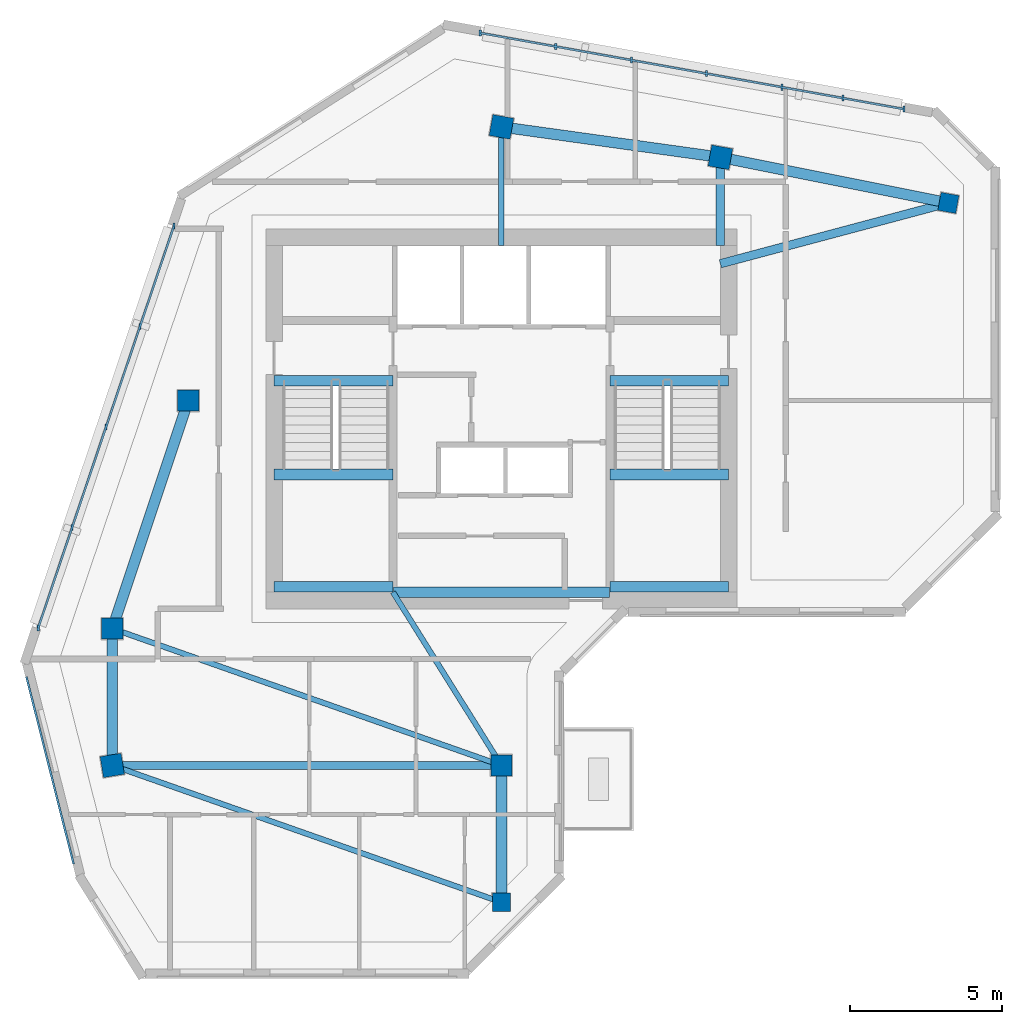
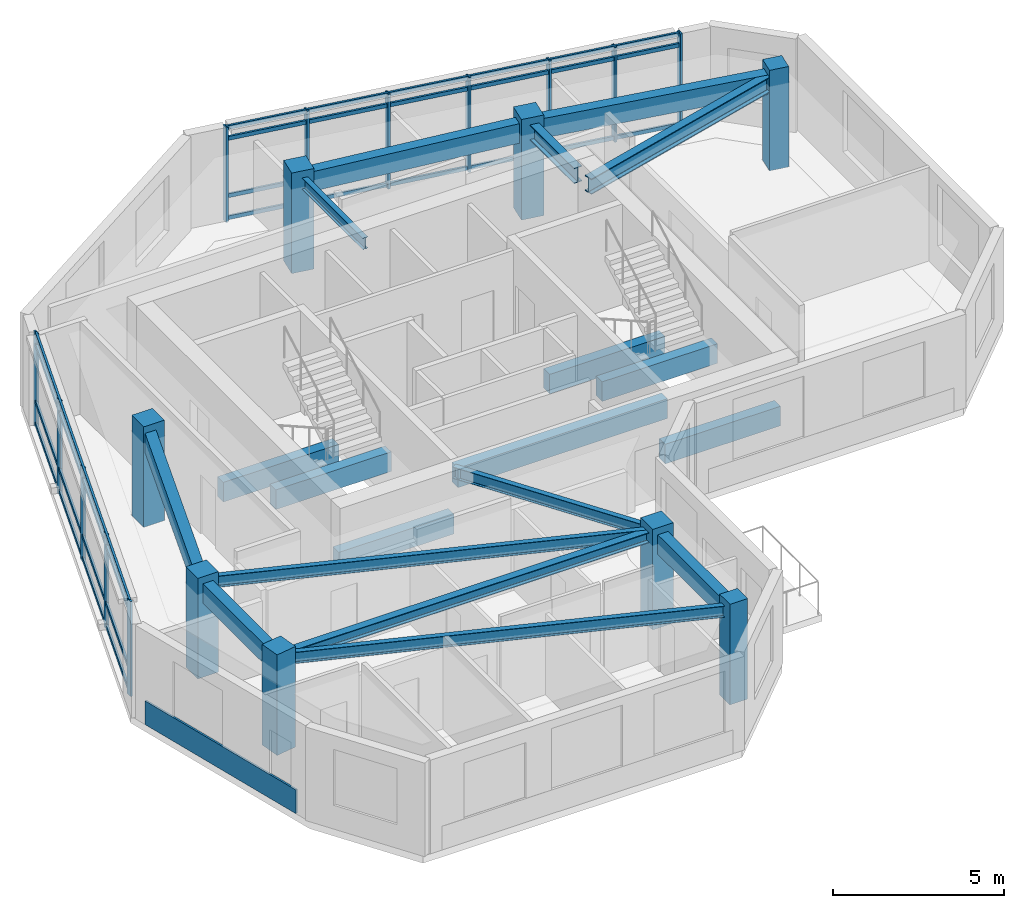
# One storey, part 1 of 8: 20 members, 19 beams, 8 columns, 1 plate, 2 elements without a shape of their own.
"""IFC4 building model written with IfcOpenShell, lengths in metres."""

from ifc_helpers import new_model, si_unit, direction, frame, frame_2d, origin, origin_2d, place, context, subcontext, project, spatial, rectangle, i_section, extrude, source, transform, mapped, material, layer, layer_set, material_profile, profile_set, type_object, element, aggregate, save


model = new_model("IFC4")

# Units and contexts
model_context = context("Model", 3, precision=1e-05, world=origin(), true_north=direction((0.0, 1.0)))
body_context = subcontext(model_context, "Body", "Model", "MODEL_VIEW")
ifc_project = project(units=[si_unit("LENGTHUNIT", "METRE"), si_unit("AREAUNIT", "SQUARE_METRE"), si_unit("VOLUMEUNIT", "CUBIC_METRE"), si_unit("PLANEANGLEUNIT", "RADIAN"), si_unit("MASSUNIT", "GRAM", prefix="KILO")], contexts=[model_context])

# Site, building, storey
site_placement = place(None, origin())
site = spatial("IfcSite", under=ifc_project, at=site_placement, CompositionType="ELEMENT")
building_placement = place(site_placement, origin())
building = spatial("IfcBuilding", under=site, at=building_placement, Name="Calvemar Wedge Station Tower", CompositionType="ELEMENT")
storey_placement = place(building_placement, frame((0.0, 0.0, 281.699951171875)))
storey = spatial("IfcBuildingStorey", under=building, at=storey_placement, Name="L72", CompositionType="ELEMENT", Elevation=281.699951171875)

# Columns
ifc_material_1 = material(Name="Concrete C50", Category="concrete")
ifc_material_profile_1 = material_profile(ifc_material_1, rectangle(XDim=0.699951171875, YDim=0.699951171875, at=origin_2d()), Name="RC700x700")
ifc_profile_set_1 = profile_set([ifc_material_profile_1], Name="Concrete C50")
column_type_1 = type_object("IfcColumnType", Name="COL-C7-700", PredefinedType="COLUMN", material=ifc_profile_set_1)
shared_shape_1 = source(origin(), body_context, "Body", "SweptSolid", [
    extrude(rectangle(XDim=0.699951171875, YDim=0.699951171875, at=origin_2d()), origin(), (0.0, 0.0, 1.0), 3.60009765625),
])
for number, where, z_axis, x_axis, name in (
    (1, (11.0, 33.0, 0.0), (0.0, 0.0, 1.0), (1.0, 0.0, 0.0), "Storey L72 Column T-NW1"),
    (2, (13.5, 40.5, 0.0), (0.0, 0.0, 1.0), (1.0, 0.0, 0.0), "Storey L72 Column T-NW2"),
    (3, (23.800048828125, 49.5, 0.0), (0.0, 0.0, 1.0), (0.984195607969, -0.17708474032, 0.0), "Storey L72 Column T-N1"),
    (4, (31.0, 48.5, 0.0), (0.0, 0.0, 1.0), (0.984195607969, -0.17708474032, 0.0), "Storey L72 Column T-N2"),
    (5, (11.0, 28.5, 0.0), (0.0, 0.0, 1.0), (0.158158067254, -0.987413806751, 0.0), "Storey L72 Column T-SW1"),
    (6, (23.800048828125, 28.5, 0.0), (0.0, 0.0, 1.0), (1.0, 0.0, 0.0), "Storey L72 Column T-SE1"),
):
    element("IfcColumn", number, at=place(storey_placement, frame(where, z_axis=z_axis, x_axis=x_axis)), inside=storey, type_object=column_type_1, Name=name, PredefinedType="COLUMN", context=body_context, shape_type="MappedRepresentation", body=[
        mapped(shared_shape_1, transform((0.0, 0.0, 0.0), scale=1.0)),
    ])
ifc_material_profile_2 = material_profile(ifc_material_1, rectangle(XDim=0.60009765625, YDim=0.60009765625, at=origin_2d()), Name="RC600x600")
ifc_profile_set_2 = profile_set([ifc_material_profile_2], Name="Concrete C50")
column_type_2 = type_object("IfcColumnType", Name="COL-C8-600", PredefinedType="COLUMN", material=ifc_profile_set_2)
shared_shape_2 = source(origin(), body_context, "Body", "SweptSolid", [
    extrude(rectangle(XDim=0.60009765625, YDim=0.60009765625, at=origin_2d()), origin(), (0.0, 0.0, 1.0), 3.60009765625),
])
for number, where, z_axis, x_axis, name in (
    (7, (38.5, 47.0, 0.0), (0.0, 0.0, 1.0), (0.984195607969, -0.17708474032, 0.0), "Storey L72 Column T-NU3"),
    (8, (23.800048828125, 24.0, 0.0), (0.0, 0.0, 1.0), (1.0, 0.0, 0.0), "Storey L72 Column T-SE2"),
):
    element("IfcColumn", number, at=place(storey_placement, frame(where, z_axis=z_axis, x_axis=x_axis)), inside=storey, type_object=column_type_2, Name=name, PredefinedType="COLUMN", context=body_context, shape_type="MappedRepresentation", body=[
        mapped(shared_shape_2, transform((0.0, 0.0, 0.0), scale=1.0)),
    ])

# Beams
ifc_material_2 = material(Name="Structural steel ASTM A572 Grade 50", Category="steel")
ifc_material_profile_3 = material_profile(ifc_material_2, i_section(OverallWidth=0.177978515625, OverallDepth=0.406982421875, WebThickness=0.0078125, FlangeThickness=0.0126953125, FilletRadius=0.010009765625, at=origin_2d()), Name="W410x60")
ifc_profile_set_3 = profile_set([ifc_material_profile_3], Name="Structural steel ASTM A572 Grade 50")
beam_type_1 = type_object("IfcBeamType", Name="BM-J3-W410", PredefinedType="JOIST", material=ifc_profile_set_3)
shared_shape_3 = source(origin(), body_context, "Body", "SweptSolid", [
    extrude(i_section(OverallWidth=0.177978515625, OverallDepth=0.406982421875, WebThickness=0.0078125, FlangeThickness=0.0126953125, FilletRadius=0.010009765625, at=origin_2d()), origin(), (0.0, 0.0, 1.0), 13.568115234375),
])
for number, where, z_axis, x_axis, name in (
    (9, (11.0, 33.0, 3.146484375), (0.943398221169, -0.331662171939, 0.0), (0.331662171939, 0.943398221169, 0.0), "Storey L72 Floor Beam T-NW1-T-SE1"),
    (10, (11.0, 28.5, 3.146484375), (0.943398221169, -0.331662171939, 0.0), (0.331662171939, 0.943398221169, 0.0), "Storey L72 Floor Beam T-SW1-T-SE2"),
):
    element("IfcBeam", number, at=place(storey_placement, frame(where, z_axis=z_axis, x_axis=x_axis)), inside=storey, type_object=beam_type_1, Name=name, PredefinedType="JOIST", context=body_context, shape_type="MappedRepresentation", body=[
        mapped(shared_shape_3, transform((0.0, 0.0, 0.0), scale=1.0)),
    ])
ifc_material_profile_4 = material_profile(ifc_material_2, i_section(OverallWidth=0.279052734375, OverallDepth=0.553955078125, WebThickness=0.017578125, FlangeThickness=0.029541015625, FilletRadius=0.014892578125, at=origin_2d()), Name="W530x196")
ifc_profile_set_4 = profile_set([ifc_material_profile_4], Name="Structural steel ASTM A572 Grade 50")
beam_type_2 = type_object("IfcBeamType", Name="BM-SB3-W530H", PredefinedType="BEAM", material=ifc_profile_set_4)
shared_shape_4 = source(origin(), body_context, "Body", "SweptSolid", [
    extrude(i_section(OverallWidth=0.279052734375, OverallDepth=0.553955078125, WebThickness=0.017578125, FlangeThickness=0.029541015625, FilletRadius=0.014892578125, at=origin_2d()), origin(), (0.0, 0.0, 1.0), 7.76220703125),
])
beam_1_placement = place(storey_placement, frame((31.0, 45.0, 3.072998046875), z_axis=(0.966234939601, 0.25766265056, 0.0), x_axis=(-0.25766265056, 0.966234939601, 0.0)))
element("IfcBeam", 11, at=beam_1_placement, inside=storey, type_object=beam_type_2, Name="Storey L72 Core-to-Column Joist CJ-E2", PredefinedType="BEAM", context=body_context, shape_type="MappedRepresentation", body=[
    mapped(shared_shape_4, transform((0.0, 0.0, 0.0), scale=1.0)),
])
shared_shape_5 = source(origin(), body_context, "Body", "SweptSolid", [
    extrude(i_section(OverallWidth=0.177978515625, OverallDepth=0.406982421875, WebThickness=0.0078125, FlangeThickness=0.0126953125, FilletRadius=0.010009765625, at=origin_2d()), origin(), (0.0, 0.0, 1.0), 3.89990234375),
])
beam_2_placement = place(storey_placement, frame((23.800048828125, 45.60009765625, 3.146484375), z_axis=(0.0, 1.0, 0.0), x_axis=(-1.0, 0.0, 0.0)))
element("IfcBeam", 12, at=beam_2_placement, inside=storey, type_object=beam_type_1, Name="Storey L72 Core-to-Column Joist CJ-N1", PredefinedType="JOIST", context=body_context, shape_type="MappedRepresentation", body=[
    mapped(shared_shape_5, transform((0.0, 0.0, 0.0), scale=1.0)),
])
shared_shape_6 = source(origin(), body_context, "Body", "SweptSolid", [
    extrude(i_section(OverallWidth=0.279052734375, OverallDepth=0.553955078125, WebThickness=0.017578125, FlangeThickness=0.029541015625, FilletRadius=0.014892578125, at=origin_2d()), origin(), (0.0, 0.0, 1.0), 2.89990234375),
])
beam_3_placement = place(storey_placement, frame((31.0, 45.60009765625, 3.072998046875), z_axis=(0.0, 1.0, 0.0), x_axis=(-1.0, 0.0, 0.0)))
element("IfcBeam", 13, at=beam_3_placement, inside=storey, type_object=beam_type_2, Name="Storey L72 Core-to-Column Joist CJ-N2", PredefinedType="BEAM", context=body_context, shape_type="MappedRepresentation", body=[
    mapped(shared_shape_6, transform((0.0, 0.0, 0.0), scale=1.0)),
])
shared_shape_7 = source(origin(), body_context, "Body", "SweptSolid", [
    extrude(i_section(OverallWidth=0.177978515625, OverallDepth=0.406982421875, WebThickness=0.0078125, FlangeThickness=0.0126953125, FilletRadius=0.010009765625, at=origin_2d()), origin(), (0.0, 0.0, 1.0), 6.7255859375),
])
beam_4_placement = place(storey_placement, frame((20.22998046875, 34.199951171875, 3.146484375), z_axis=(0.530811158438, -0.847490126242, 0.0), x_axis=(0.847490126242, 0.530811158438, 0.0)))
element("IfcBeam", 14, at=beam_4_placement, inside=storey, type_object=beam_type_1, Name="Storey L72 Core-to-Column Joist CJ-S2", PredefinedType="JOIST", context=body_context, shape_type="MappedRepresentation", body=[
    mapped(shared_shape_7, transform((0.0, 0.0, 0.0), scale=1.0)),
])
ifc_material_3 = material(Name="Concrete C70", Category="concrete")
ifc_material_profile_5 = material_profile(ifc_material_3, rectangle(XDim=0.35009765625, YDim=0.699951171875, at=origin_2d()), Name="RC350x700")
ifc_profile_set_5 = profile_set([ifc_material_profile_5], Name="Concrete C70")
beam_type_3 = type_object("IfcBeamType", Name="BM-LN1-700", PredefinedType="LINTEL", material=ifc_profile_set_5)
shared_shape_8 = source(origin(), body_context, "Body", "SweptSolid", [
    extrude(rectangle(XDim=0.35009765625, YDim=0.699951171875, at=origin_2d()), origin(), (0.0, 0.0, 1.0), 7.10009765625),
])
beam_5_placement = place(storey_placement, frame((20.25, 34.199951171875, 3.0), z_axis=(1.0, 0.0, 0.0), x_axis=(0.0, 1.0, 0.0)))
element("IfcBeam", 15, at=beam_5_placement, inside=storey, type_object=beam_type_3, Name="Storey L72 Core Coupling Lintel South", PredefinedType="LINTEL", context=body_context, shape_type="MappedRepresentation", body=[
    mapped(shared_shape_8, transform((0.0, 0.0, 0.0), scale=1.0)),
])
ifc_material_profile_6 = material_profile(ifc_material_1, rectangle(XDim=0.35009765625, YDim=0.699951171875, at=origin_2d()), Name="RC350x700")
ifc_profile_set_6 = profile_set([ifc_material_profile_6], Name="Concrete C50")
beam_type_4 = type_object("IfcBeamType", Name="BM-SP2-700", PredefinedType="SPANDREL", material=ifc_profile_set_6)
shared_shape_9 = source(origin(), body_context, "Body", "SweptSolid", [
    extrude(rectangle(XDim=0.35009765625, YDim=0.699951171875, at=origin_2d()), origin(), (0.0, 0.0, 1.0), 7.90576171875),
])
beam_6_placement = place(storey_placement, frame((11.0, 33.0, 3.0), z_axis=(0.316227766017, 0.948683298051, 0.0), x_axis=(-0.948683298051, 0.316227766017, 0.0)))
element("IfcBeam", 16, at=beam_6_placement, inside=storey, type_object=beam_type_4, Name="Storey L72 Spandrel T-NW1-T-NW2", PredefinedType="SPANDREL", context=body_context, shape_type="MappedRepresentation", body=[
    mapped(shared_shape_9, transform((0.0, 0.0, 0.0), scale=1.0)),
])
shared_shape_10 = source(origin(), body_context, "Body", "SweptSolid", [
    extrude(rectangle(XDim=0.35009765625, YDim=0.699951171875, at=origin_2d()), origin(), (0.0, 0.0, 1.0), 7.26904296875),
])
beam_7_placement = place(storey_placement, frame((23.800048828125, 49.5, 3.0), z_axis=(0.990492146053, -0.13756928657, 0.0), x_axis=(0.13756928657, 0.990492146053, 0.0)))
element("IfcBeam", 17, at=beam_7_placement, inside=storey, type_object=beam_type_4, Name="Storey L72 Spandrel T-N1-T-N2", PredefinedType="SPANDREL", context=body_context, shape_type="MappedRepresentation", body=[
    mapped(shared_shape_10, transform((0.0, 0.0, 0.0), scale=1.0)),
])
shared_shape_11 = source(origin(), body_context, "Body", "SweptSolid", [
    extrude(rectangle(XDim=0.35009765625, YDim=0.699951171875, at=origin_2d()), origin(), (0.0, 0.0, 1.0), 7.6484375),
])
beam_8_placement = place(storey_placement, frame((31.0, 48.5, 3.0), z_axis=(0.980580675691, -0.196116135138, 0.0), x_axis=(0.196116135138, 0.980580675691, 0.0)))
element("IfcBeam", 18, at=beam_8_placement, inside=storey, type_object=beam_type_4, Name="Storey L72 Spandrel T-N2-T-NU3", PredefinedType="SPANDREL", context=body_context, shape_type="MappedRepresentation", body=[
    mapped(shared_shape_11, transform((0.0, 0.0, 0.0), scale=1.0)),
])
shared_shape_12 = source(origin(), body_context, "Body", "SweptSolid", [
    extrude(rectangle(XDim=0.35009765625, YDim=0.699951171875, at=origin_2d()), origin(), (0.0, 0.0, 1.0), 4.5),
])
for number, where, z_axis, x_axis, name in (
    (19, (11.0, 33.0, 3.0), (0.0, -1.0, 0.0), (1.0, 0.0, 0.0), "Storey L72 Spandrel T-NW1-T-SW1"),
    (20, (23.800048828125, 28.5, 3.0), (0.0, -1.0, 0.0), (1.0, 0.0, 0.0), "Storey L72 Spandrel T-SE1-T-SE2"),
):
    element("IfcBeam", number, at=place(storey_placement, frame(where, z_axis=z_axis, x_axis=x_axis)), inside=storey, type_object=beam_type_4, Name=name, PredefinedType="SPANDREL", context=body_context, shape_type="MappedRepresentation", body=[
        mapped(shared_shape_12, transform((0.0, 0.0, 0.0), scale=1.0)),
    ])
shared_shape_13 = source(origin(), body_context, "Body", "SweptSolid", [
    extrude(rectangle(XDim=0.35009765625, YDim=0.699951171875, at=origin_2d()), origin(), (0.0, 0.0, 1.0), 3.905029296875),
])
for number, where, z_axis, x_axis, name in (
    (21, (16.324951171875, 41.14990234375, -0.349853515625), (1.0, 0.0, 0.0), (0.0, 1.0, 0.0), "Storey L72 Stair ST-C1 Landing Trimmer Beam"),
    (22, (16.324951171875, 34.3798828125, 1.25), (1.0, 0.0, 0.0), (0.0, 1.0, 0.0), "Storey L72 Stair ST-C1 Half-Landing Beam 1A"),
    (23, (16.324951171875, 38.070068359375, 1.25), (1.0, 0.0, 0.0), (0.0, 1.0, 0.0), "Storey L72 Stair ST-C1 Half-Landing Beam 1B"),
):
    element("IfcBeam", number, at=place(storey_placement, frame(where, z_axis=z_axis, x_axis=x_axis)), inside=storey, type_object=beam_type_3, Name=name, PredefinedType="LINTEL", context=body_context, shape_type="MappedRepresentation", body=[
        mapped(shared_shape_13, transform((0.0, 0.0, 0.0), scale=1.0)),
    ])
shared_shape_14 = source(origin(), body_context, "Body", "SweptSolid", [
    extrude(rectangle(XDim=0.35009765625, YDim=0.699951171875, at=origin_2d()), origin(), (0.0, 0.0, 1.0), 3.90478515625),
])
for number, where, z_axis, x_axis, name in (
    (24, (27.3701171875, 41.14990234375, -0.349853515625), (1.0, 0.0, 0.0), (0.0, 1.0, 0.0), "Storey L72 Stair ST-C2 Landing Trimmer Beam"),
    (25, (27.3701171875, 34.3798828125, 1.25), (1.0, 0.0, 0.0), (0.0, 1.0, 0.0), "Storey L72 Stair ST-C2 Half-Landing Beam 1A"),
    (26, (27.3701171875, 38.070068359375, 1.25), (1.0, 0.0, 0.0), (0.0, 1.0, 0.0), "Storey L72 Stair ST-C2 Half-Landing Beam 1B"),
):
    element("IfcBeam", number, at=place(storey_placement, frame(where, z_axis=z_axis, x_axis=x_axis)), inside=storey, type_object=beam_type_3, Name=name, PredefinedType="LINTEL", context=body_context, shape_type="MappedRepresentation", body=[
        mapped(shared_shape_14, transform((0.0, 0.0, 0.0), scale=1.0)),
    ])
ifc_material_profile_7 = material_profile(ifc_material_2, i_section(OverallWidth=0.257080078125, OverallDepth=0.363037109375, WebThickness=0.012939453125, FlangeThickness=0.021728515625, FilletRadius=0.014892578125, at=origin_2d()), Name="W360x122")
ifc_profile_set_7 = profile_set([ifc_material_profile_7], Name="Structural steel ASTM A572 Grade 50")
beam_type_5 = type_object("IfcBeamType", Name="BM-J4-W360", PredefinedType="JOIST", material=ifc_profile_set_7)
shared_shape_15 = source(origin(), body_context, "Body", "SweptSolid", [
    extrude(i_section(OverallWidth=0.257080078125, OverallDepth=0.363037109375, WebThickness=0.012939453125, FlangeThickness=0.021728515625, FilletRadius=0.014892578125, at=origin_2d()), origin(), (0.0, 0.0, 1.0), 12.800048828125),
])
beam_9_placement = place(storey_placement, frame((11.0, 28.5, 3.16845703125), z_axis=(1.0, 0.0, 0.0), x_axis=(0.0, 1.0, 0.0)))
element("IfcBeam", 27, at=beam_9_placement, inside=storey, type_object=beam_type_5, Name="Storey L72 Floor Beam T-SW1-T-SE1", PredefinedType="JOIST", context=body_context, shape_type="MappedRepresentation", body=[
    mapped(shared_shape_15, transform((0.0, 0.0, 0.0), scale=1.0)),
])

# Curtain wall, members
ifc_material_4 = material(Name="Anodised aluminium 6063-T6", Category="aluminium")
curtain_wall_type = type_object("IfcCurtainWallType", Name="CW4", PredefinedType="NOTDEFINED", material=ifc_material_4)
curtain_wall_1_placement = place(storey_placement, origin())
curtain_wall_1 = element("IfcCurtainWall", 28, at=curtain_wall_1_placement, inside=storey, type_object=curtain_wall_type, Name="Storey L72 CW4 Recessed Unitised Curtain Wall 10", PredefinedType="NOTDEFINED")
ifc_material_profile_8 = material_profile(ifc_material_4, rectangle(XDim=0.070068359375, YDim=0.199951171875, at=origin_2d()), Name="AL-MUL-70x200")
ifc_profile_set_8 = profile_set([ifc_material_profile_8], Name="Anodised aluminium 6063-T6")
member_type_1 = type_object("IfcMemberType", Name="CW4-MUL", PredefinedType="MULLION", material=ifc_profile_set_8)
shared_shape_16 = source(origin(), body_context, "Body", "SweptSolid", [
    extrude(rectangle(XDim=0.070068359375, YDim=0.199951171875, at=origin_2d()), origin(), (0.0, 0.0, 1.0), 3.400146484375),
])
member_1_placement = place(storey_placement, frame((37.033935546875, 50.084228515625, -0.050048828125), z_axis=(0.0, 0.0, 1.0), x_axis=(1.0, 0.0, 0.0)))
member_1 = element("IfcMember", 29, at=member_1_placement, type_object=member_type_1, Name="CW4 mullion 1", PredefinedType="MULLION", context=body_context, shape_type="MappedRepresentation", body=[
    mapped(shared_shape_16, transform((0.0, 0.0, 0.0), scale=1.0)),
])
member_2_placement = place(storey_placement, frame((35.02783203125, 50.44482421875, -0.050048828125), z_axis=(0.0, 0.0, 1.0), x_axis=(1.0, 0.0, 0.0)))
member_2 = element("IfcMember", 30, at=member_2_placement, type_object=member_type_1, Name="CW4 mullion 2", PredefinedType="MULLION", context=body_context, shape_type="MappedRepresentation", body=[
    mapped(shared_shape_16, transform((0.0, 0.0, 0.0), scale=1.0)),
])
member_3_placement = place(storey_placement, frame((33.02197265625, 50.805419921875, -0.050048828125), z_axis=(0.0, 0.0, 1.0), x_axis=(1.0, 0.0, 0.0)))
member_3 = element("IfcMember", 31, at=member_3_placement, type_object=member_type_1, Name="CW4 mullion 3", PredefinedType="MULLION", context=body_context, shape_type="MappedRepresentation", body=[
    mapped(shared_shape_16, transform((0.0, 0.0, 0.0), scale=1.0)),
])
member_4_placement = place(storey_placement, frame((30.546875, 51.250244140625, -0.050048828125), z_axis=(0.0, 0.0, 1.0), x_axis=(1.0, 0.0, 0.0)))
member_4 = element("IfcMember", 32, at=member_4_placement, type_object=member_type_1, Name="CW4 mullion 4", PredefinedType="MULLION", context=body_context, shape_type="MappedRepresentation", body=[
    mapped(shared_shape_16, transform((0.0, 0.0, 0.0), scale=1.0)),
])
member_5_placement = place(storey_placement, frame((28.072021484375, 51.695068359375, -0.050048828125), z_axis=(0.0, 0.0, 1.0), x_axis=(1.0, 0.0, 0.0)))
member_5 = element("IfcMember", 33, at=member_5_placement, type_object=member_type_1, Name="CW4 mullion 5", PredefinedType="MULLION", context=body_context, shape_type="MappedRepresentation", body=[
    mapped(shared_shape_16, transform((0.0, 0.0, 0.0), scale=1.0)),
])
member_6_placement = place(storey_placement, frame((25.587646484375, 52.1416015625, -0.050048828125), z_axis=(0.0, 0.0, 1.0), x_axis=(1.0, 0.0, 0.0)))
member_6 = element("IfcMember", 34, at=member_6_placement, type_object=member_type_1, Name="CW4 mullion 6", PredefinedType="MULLION", context=body_context, shape_type="MappedRepresentation", body=[
    mapped(shared_shape_16, transform((0.0, 0.0, 0.0), scale=1.0)),
])
member_7_placement = place(storey_placement, frame((23.10302734375, 52.58837890625, -0.050048828125), z_axis=(0.0, 0.0, 1.0), x_axis=(1.0, 0.0, 0.0)))
member_7 = element("IfcMember", 35, at=member_7_placement, type_object=member_type_1, Name="CW4 mullion 7", PredefinedType="MULLION", context=body_context, shape_type="MappedRepresentation", body=[
    mapped(shared_shape_16, transform((0.0, 0.0, 0.0), scale=1.0)),
])

curtain_wall_2_placement = place(storey_placement, origin())
curtain_wall_2 = element("IfcCurtainWall", 36, at=curtain_wall_2_placement, inside=storey, type_object=curtain_wall_type, Name="Storey L72 CW4 Recessed Unitised Curtain Wall 12", PredefinedType="NOTDEFINED")
member_8_placement = place(storey_placement, frame((13.030029296875, 46.240478515625, -0.050048828125), z_axis=(0.0, 0.0, 1.0), x_axis=(1.0, 0.0, 0.0)))
member_8 = element("IfcMember", 37, at=member_8_placement, type_object=member_type_1, Name="CW4 mullion 1", PredefinedType="MULLION", context=body_context, shape_type="MappedRepresentation", body=[
    mapped(shared_shape_16, transform((0.0, 0.0, 0.0), scale=1.0)),
])
member_9_placement = place(storey_placement, frame((11.913818359375, 42.9345703125, -0.050048828125), z_axis=(0.0, 0.0, 1.0), x_axis=(1.0, 0.0, 0.0)))
member_9 = element("IfcMember", 38, at=member_9_placement, type_object=member_type_1, Name="CW4 mullion 2", PredefinedType="MULLION", context=body_context, shape_type="MappedRepresentation", body=[
    mapped(shared_shape_16, transform((0.0, 0.0, 0.0), scale=1.0)),
])
member_10_placement = place(storey_placement, frame((10.797607421875, 39.628662109375, -0.050048828125), z_axis=(0.0, 0.0, 1.0), x_axis=(1.0, 0.0, 0.0)))
member_10 = element("IfcMember", 39, at=member_10_placement, type_object=member_type_1, Name="CW4 mullion 3", PredefinedType="MULLION", context=body_context, shape_type="MappedRepresentation", body=[
    mapped(shared_shape_16, transform((0.0, 0.0, 0.0), scale=1.0)),
])
member_11_placement = place(storey_placement, frame((9.681396484375, 36.32275390625, -0.050048828125), z_axis=(0.0, 0.0, 1.0), x_axis=(1.0, 0.0, 0.0)))
member_11 = element("IfcMember", 40, at=member_11_placement, type_object=member_type_1, Name="CW4 mullion 4", PredefinedType="MULLION", context=body_context, shape_type="MappedRepresentation", body=[
    mapped(shared_shape_16, transform((0.0, 0.0, 0.0), scale=1.0)),
])
member_12_placement = place(storey_placement, frame((8.56494140625, 33.016845703125, -0.050048828125), z_axis=(0.0, 0.0, 1.0), x_axis=(1.0, 0.0, 0.0)))
member_12 = element("IfcMember", 41, at=member_12_placement, type_object=member_type_1, Name="CW4 mullion 5", PredefinedType="MULLION", context=body_context, shape_type="MappedRepresentation", body=[
    mapped(shared_shape_16, transform((0.0, 0.0, 0.0), scale=1.0)),
])

# Member
ifc_material_profile_9 = material_profile(ifc_material_4, rectangle(XDim=0.070068359375, YDim=0.139892578125, at=origin_2d()), Name="AL-TRN-70x140")
ifc_profile_set_9 = profile_set([ifc_material_profile_9], Name="Anodised aluminium 6063-T6")
member_type_2 = type_object("IfcMemberType", Name="CW4-TRN", PredefinedType="USERDEFINED", material=ifc_profile_set_9)
shared_shape_17 = source(origin(), body_context, "Body", "SweptSolid", [
    extrude(rectangle(XDim=0.070068359375, YDim=0.139892578125, at=origin_2d()), origin(), (0.0, 0.0, 1.0), 14.154296875),
])
member_13_placement = place(storey_placement, frame((37.033935546875, 50.084228515625, 0.06005859375), z_axis=(-0.984225338595, 0.17691942479, 0.0), x_axis=(-0.17691942479, -0.984225338595, 0.0)))
member_13 = element("IfcMember", 42, at=member_13_placement, type_object=member_type_2, Name="CW4 transom 1", ObjectType="TRANSOM", PredefinedType="USERDEFINED", context=body_context, shape_type="MappedRepresentation", body=[
    mapped(shared_shape_17, transform((0.0, 0.0, 0.0), scale=1.0)),
])

member_14_placement = place(storey_placement, frame((37.033935546875, 50.084228515625, 0.85009765625), z_axis=(-0.984225338595, 0.17691942479, 0.0), x_axis=(-0.17691942479, -0.984225338595, 0.0)))
member_14 = element("IfcMember", 43, at=member_14_placement, type_object=member_type_2, Name="CW4 transom 2", ObjectType="TRANSOM", PredefinedType="USERDEFINED", context=body_context, shape_type="MappedRepresentation", body=[
    mapped(shared_shape_17, transform((0.0, 0.0, 0.0), scale=1.0)),
])

member_15_placement = place(storey_placement, frame((37.033935546875, 50.084228515625, 2.900146484375), z_axis=(-0.984225338595, 0.17691942479, 0.0), x_axis=(-0.17691942479, -0.984225338595, 0.0)))
member_15 = element("IfcMember", 44, at=member_15_placement, type_object=member_type_2, Name="CW4 transom 3", ObjectType="TRANSOM", PredefinedType="USERDEFINED", context=body_context, shape_type="MappedRepresentation", body=[
    mapped(shared_shape_17, transform((0.0, 0.0, 0.0), scale=1.0)),
])

member_16_placement = place(storey_placement, frame((37.033935546875, 50.084228515625, 3.2900390625), z_axis=(-0.984225338595, 0.17691942479, 0.0), x_axis=(-0.17691942479, -0.984225338595, 0.0)))
member_16 = element("IfcMember", 45, at=member_16_placement, type_object=member_type_2, Name="CW4 transom 4", ObjectType="TRANSOM", PredefinedType="USERDEFINED", context=body_context, shape_type="MappedRepresentation", body=[
    mapped(shared_shape_17, transform((0.0, 0.0, 0.0), scale=1.0)),
])

aggregate(curtain_wall_1, [member_1, member_2, member_3, member_4, member_5, member_6, member_7, member_13, member_14, member_15, member_16])

shared_shape_18 = source(origin(), body_context, "Body", "SweptSolid", [
    extrude(rectangle(XDim=0.070068359375, YDim=0.139892578125, at=origin_2d()), origin(), (0.0, 0.0, 1.0), 13.95703125),
])
member_17_placement = place(storey_placement, frame((13.030029296875, 46.240478515625, 0.06005859375), z_axis=(-0.319914475782, -0.947446424968, 0.0), x_axis=(0.947446424968, -0.319914475782, 0.0)))
member_17 = element("IfcMember", 46, at=member_17_placement, type_object=member_type_2, Name="CW4 transom 1", ObjectType="TRANSOM", PredefinedType="USERDEFINED", context=body_context, shape_type="MappedRepresentation", body=[
    mapped(shared_shape_18, transform((0.0, 0.0, 0.0), scale=1.0)),
])

member_18_placement = place(storey_placement, frame((13.030029296875, 46.240478515625, 0.85009765625), z_axis=(-0.319914475782, -0.947446424968, 0.0), x_axis=(0.947446424968, -0.319914475782, 0.0)))
member_18 = element("IfcMember", 47, at=member_18_placement, type_object=member_type_2, Name="CW4 transom 2", ObjectType="TRANSOM", PredefinedType="USERDEFINED", context=body_context, shape_type="MappedRepresentation", body=[
    mapped(shared_shape_18, transform((0.0, 0.0, 0.0), scale=1.0)),
])

member_19_placement = place(storey_placement, frame((13.030029296875, 46.240478515625, 2.900146484375), z_axis=(-0.319914475782, -0.947446424968, 0.0), x_axis=(0.947446424968, -0.319914475782, 0.0)))
member_19 = element("IfcMember", 48, at=member_19_placement, type_object=member_type_2, Name="CW4 transom 3", ObjectType="TRANSOM", PredefinedType="USERDEFINED", context=body_context, shape_type="MappedRepresentation", body=[
    mapped(shared_shape_18, transform((0.0, 0.0, 0.0), scale=1.0)),
])

member_20_placement = place(storey_placement, frame((13.030029296875, 46.240478515625, 3.2900390625), z_axis=(-0.319914475782, -0.947446424968, 0.0), x_axis=(0.947446424968, -0.319914475782, 0.0)))
member_20 = element("IfcMember", 49, at=member_20_placement, type_object=member_type_2, Name="CW4 transom 4", ObjectType="TRANSOM", PredefinedType="USERDEFINED", context=body_context, shape_type="MappedRepresentation", body=[
    mapped(shared_shape_18, transform((0.0, 0.0, 0.0), scale=1.0)),
])

aggregate(curtain_wall_2, [member_8, member_9, member_10, member_11, member_12, member_17, member_18, member_19, member_20])

# Plate
ifc_material_5 = material(Name="Precast concrete C45", Category="concrete")
ifc_layer = layer(ifc_material_5, 0.06494140625)
ifc_layer_set = layer_set([ifc_layer], Name="Precast concrete C45")
plate_type = type_object("IfcPlateType", Name="PL-GFRC-FIN", PredefinedType="USERDEFINED", material=ifc_layer_set)
plate_placement = place(storey_placement, frame((8.177734375, 31.41748046875, 0.0), z_axis=(0.0, 0.0, 1.0), x_axis=(0.244425395566, -0.969668100951, 0.0)))
element("IfcPlate", 50, at=plate_placement, inside=storey, type_object=plate_type, Name="Storey L72 Oxidized-Bronze GFRC Spandrel Cladding 13", ObjectType="CLADDING PANEL", PredefinedType="USERDEFINED", context=body_context, shape_type="SweptSolid", body=[
    extrude(rectangle(XDim=6.3515625, YDim=0.06494140625, at=frame_2d((3.17578125, 0.0))), origin(), (0.0, 0.0, 1.0), 0.85009765625),
])

save(model, "model.ifc")
